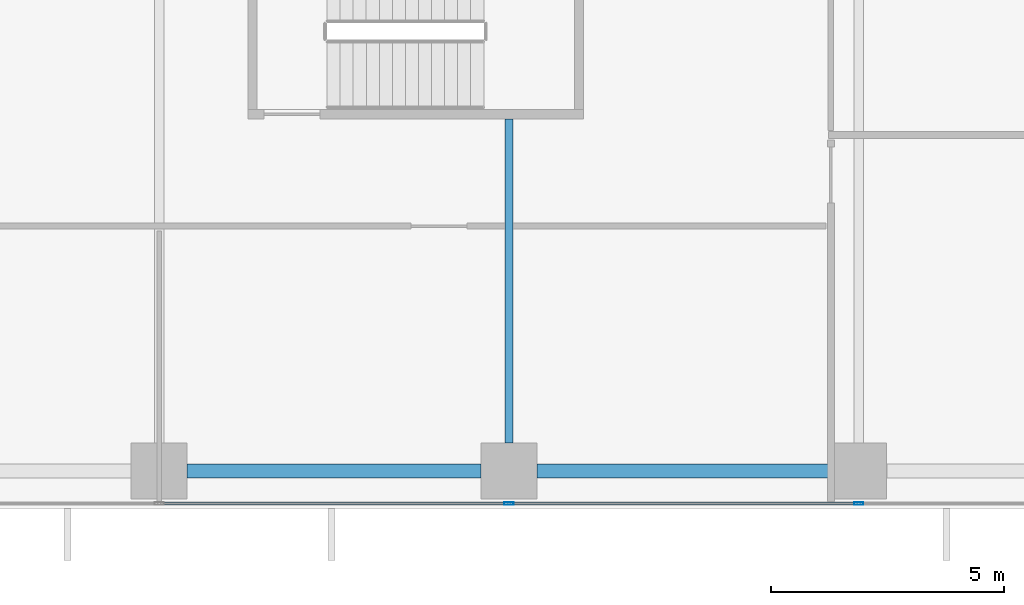
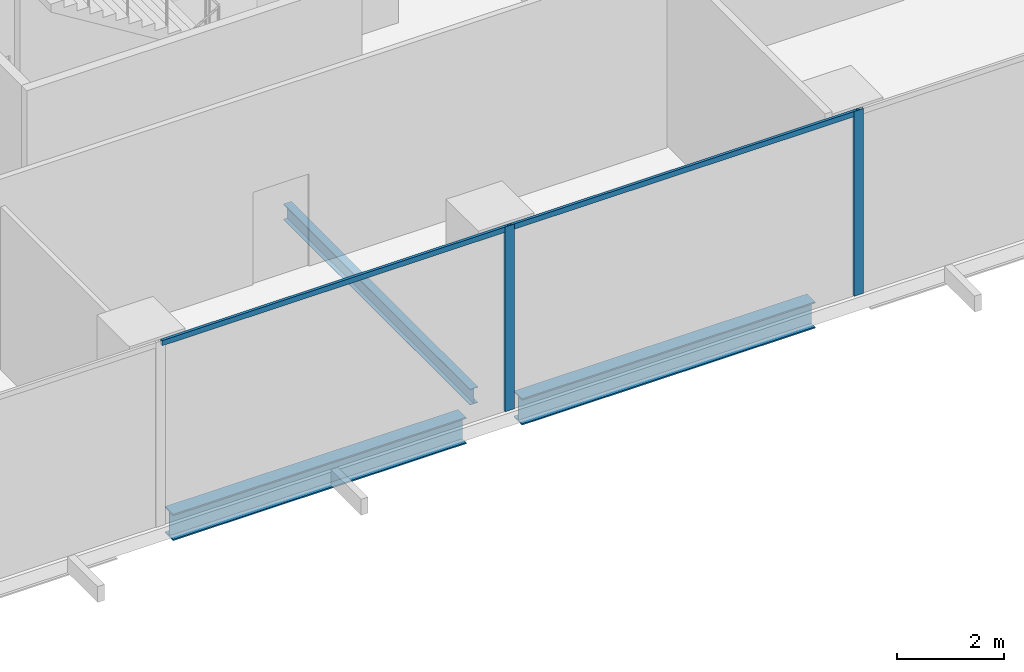
# One storey, part 3 of 32: 4 members, 3 beams, 1 element without a shape of its own.
"""IFC4 building model written with IfcOpenShell, lengths in metres."""

from ifc_helpers import new_model, si_unit, direction, frame, origin, origin_2d, place, context, subcontext, project, spatial, hollow_rectangle, i_section, extrude, source, transform, mapped, material, material_profile, profile_set, type_object, element, aggregate, save


model = new_model("IFC4")

# Units and contexts
model_context = context("Model", 3, precision=1e-05, world=origin(), true_north=direction((0.0, 1.0)))
body_context = subcontext(model_context, "Body", "Model", "MODEL_VIEW")
ifc_project = project(units=[si_unit("LENGTHUNIT", "METRE"), si_unit("AREAUNIT", "SQUARE_METRE"), si_unit("VOLUMEUNIT", "CUBIC_METRE"), si_unit("PLANEANGLEUNIT", "RADIAN"), si_unit("MASSUNIT", "GRAM", prefix="KILO")], contexts=[model_context])

# Site, building, storey
site_placement = place(None, origin())
site = spatial("IfcSite", under=ifc_project, at=site_placement, CompositionType="ELEMENT")
building_placement = place(site_placement, origin())
building = spatial("IfcBuilding", under=site, at=building_placement, Name="Khomas Fold Tower", CompositionType="ELEMENT")
storey_placement = place(building_placement, frame((0.0, 0.0, 37.5)))
storey = spatial("IfcBuildingStorey", under=building, at=storey_placement, Name="L07", CompositionType="ELEMENT", Elevation=37.5)

# Beams
ifc_material_1 = material(Name="Steel S355", Category="steel")
ifc_material_profile_1 = material_profile(ifc_material_1, i_section(OverallWidth=0.169921875, OverallDepth=0.360107421875, WebThickness=0.008056640625, FlangeThickness=0.0126953125, at=origin_2d()), Name="IPE 360")
ifc_profile_set_1 = profile_set([ifc_material_profile_1], Name="Steel S355")
beam_type_1 = type_object("IfcBeamType", Name="IPE 360 beam JB2", PredefinedType="BEAM", material=ifc_profile_set_1)
shared_shape_1 = source(origin(), body_context, "Body", "SweptSolid", [
    extrude(i_section(OverallWidth=0.169921875, OverallDepth=0.360107421875, WebThickness=0.008056640625, FlangeThickness=0.0126953125, at=origin_2d()), origin(), (0.0, 0.0, 1.0), 6.9501953125),
])
beam_placement = place(storey_placement, frame((19.5, 1.39990234375, -0.47998046875), z_axis=(0.0, 1.0, 0.0), x_axis=(-1.0, 0.0, 0.0)))
element("IfcBeam", 1, at=beam_placement, inside=storey, type_object=beam_type_1, Name="JB2", PredefinedType="BEAM", context=body_context, shape_type="MappedRepresentation", body=[
    mapped(shared_shape_1, transform((0.0, 0.0, 0.0))),
])
ifc_material_2 = material(Name="Steel S355", Category="steel")
ifc_material_profile_2 = material_profile(ifc_material_2, i_section(OverallWidth=0.300048828125, OverallDepth=0.60009765625, WebThickness=0.015380859375, FlangeThickness=0.030029296875, at=origin_2d()), Name="HE 600 B")
ifc_profile_set_2 = profile_set([ifc_material_profile_2], Name="Steel S355")
beam_type_2 = type_object("IfcBeamType", Name="HE 600 B spandrel SB1", PredefinedType="SPANDREL", material=ifc_profile_set_2)
shared_shape_2 = source(origin(), body_context, "Body", "SweptSolid", [
    extrude(i_section(OverallWidth=0.300048828125, OverallDepth=0.60009765625, WebThickness=0.015380859375, FlangeThickness=0.030029296875, at=origin_2d()), origin(), (0.0, 0.0, 1.0), 6.2998046875),
])
for number, where, z_axis, x_axis, name in (
    (2, (12.60009765625, 0.800048828125, -0.60009765625), (1.0, 0.0, 0.0), (0.0, 1.0, 0.0), "SB1"),
    (3, (20.10009765625, 0.800048828125, -0.60009765625), (1.0, 0.0, 0.0), (0.0, 1.0, 0.0), "SB1"),
):
    element("IfcBeam", number, at=place(storey_placement, frame(where, z_axis=z_axis, x_axis=x_axis)), inside=storey, type_object=beam_type_2, Name=name, PredefinedType="SPANDREL", context=body_context, shape_type="MappedRepresentation", body=[
        mapped(shared_shape_2, transform((0.0, 0.0, 0.0))),
    ])

# Curtain wall, members
ifc_material_3 = material(Name="Aluminium framed double glazing", Category="aluminium")
curtain_wall_type = type_object("IfcCurtainWallType", Name="SK-Unitised clear-glass wall, growing floors CW1", PredefinedType="NOTDEFINED", material=ifc_material_3)
curtain_wall_placement = place(storey_placement, origin())
curtain_wall = element("IfcCurtainWall", 4, at=curtain_wall_placement, inside=storey, type_object=curtain_wall_type, Name="CW1 run L07 00-0", PredefinedType="NOTDEFINED")
ifc_material_4 = material(Name="Aluminium", Category="aluminium")
ifc_material_profile_3 = material_profile(ifc_material_4, hollow_rectangle(XDim=0.06005859375, YDim=0.1201171875, WallThickness=0.00390625, at=origin_2d()), Name="SK-Unitised clear-glass wall, growing floors transom CW1-T")
ifc_profile_set_3 = profile_set([ifc_material_profile_3], Name="Aluminium")
member_type_1 = type_object("IfcMemberType", Name="SK-Unitised clear-glass wall, growing floors transom CW1-T", PredefinedType="USERDEFINED", material=ifc_profile_set_3)
shared_shape_3 = source(origin(), body_context, "Body", "SweptSolid", [
    extrude(hollow_rectangle(XDim=0.06005859375, YDim=0.1201171875, WallThickness=0.00390625, at=origin_2d()), origin(), (0.0, 0.0, 1.0), 7.43994140625),
])
member_1_placement = place(storey_placement, frame((12.030029296875, 0.10009765625, 4.139892578125), z_axis=(1.0, 0.0, 0.0), x_axis=(0.0, 1.0, 0.0)))
member_1 = element("IfcMember", 5, at=member_1_placement, type_object=member_type_1, Name="CW1 transom 3", ObjectType="TRANSOM", PredefinedType="USERDEFINED", context=body_context, shape_type="MappedRepresentation", body=[
    mapped(shared_shape_3, transform((0.0, 0.0, 0.0))),
])
member_2_placement = place(storey_placement, frame((19.530029296875, 0.10009765625, 4.139892578125), z_axis=(1.0, 0.0, 0.0), x_axis=(0.0, 1.0, 0.0)))
member_2 = element("IfcMember", 6, at=member_2_placement, type_object=member_type_1, Name="CW1 transom 4", ObjectType="TRANSOM", PredefinedType="USERDEFINED", context=body_context, shape_type="MappedRepresentation", body=[
    mapped(shared_shape_3, transform((0.0, 0.0, 0.0))),
])
ifc_material_5 = material(Name="Aluminium", Category="aluminium")
ifc_material_profile_4 = material_profile(ifc_material_5, hollow_rectangle(XDim=0.06005859375, YDim=0.199951171875, WallThickness=0.00390625, at=origin_2d()), Name="SK-Unitised clear-glass wall, growing floors mullion CW1-M")
ifc_profile_set_4 = profile_set([ifc_material_profile_4], Name="Aluminium")
member_type_2 = type_object("IfcMemberType", Name="SK-Unitised clear-glass wall, growing floors mullion CW1-M", PredefinedType="MULLION", material=ifc_profile_set_4)
shared_shape_4 = source(origin(), body_context, "Body", "SweptSolid", [
    extrude(hollow_rectangle(XDim=0.06005859375, YDim=0.199951171875, WallThickness=0.00390625, at=origin_2d()), origin(), (0.0, 0.0, 1.0), 4.199951171875),
])
member_3_placement = place(storey_placement, frame((19.5, 0.10009765625, 0.0), z_axis=(0.0, 0.0, 1.0), x_axis=(0.0, 1.0, 0.0)))
member_3 = element("IfcMember", 7, at=member_3_placement, type_object=member_type_2, Name="CW1 mullion 4", PredefinedType="MULLION", context=body_context, shape_type="MappedRepresentation", body=[
    mapped(shared_shape_4, transform((0.0, 0.0, 0.0))),
])
member_4_placement = place(storey_placement, frame((27.0, 0.10009765625, 0.0), z_axis=(0.0, 0.0, 1.0), x_axis=(0.0, 1.0, 0.0)))
member_4 = element("IfcMember", 8, at=member_4_placement, type_object=member_type_2, Name="CW1 mullion 5", PredefinedType="MULLION", context=body_context, shape_type="MappedRepresentation", body=[
    mapped(shared_shape_4, transform((0.0, 0.0, 0.0))),
])
aggregate(curtain_wall, [member_3, member_4, member_1, member_2])

save(model, "model.ifc")
